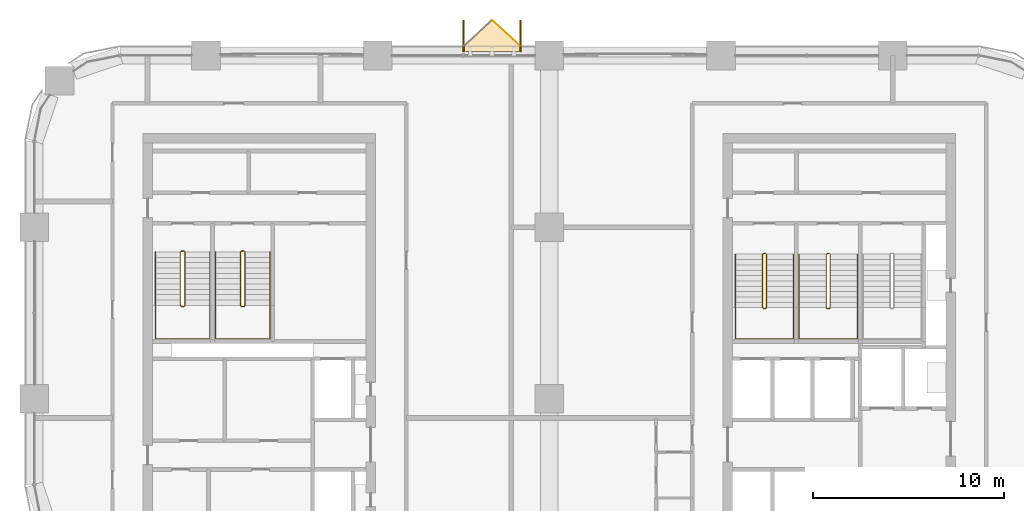
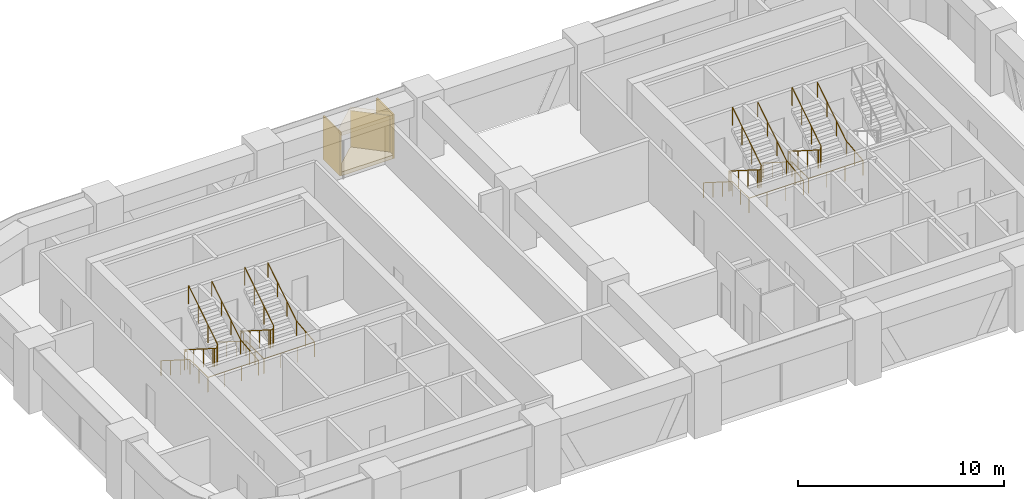
# One storey, part 13 of 14: 8 railings, 5 coverings.
"""IFC4 building model written with IfcOpenShell, lengths in metres."""

from ifc_helpers import new_model, si_unit, direction, frame, origin, origin_2d, place, context, subcontext, project, spatial, polyline, rectangle, circle, outline, extrude, material, layer, layer_set, type_object, element, save


model = new_model("IFC4")

# Units and contexts
model_context = context("Model", 3, precision=1e-05, world=origin(), true_north=direction((0.0, 1.0)))
body_context = subcontext(model_context, "Body", "Model", "MODEL_VIEW")
ifc_project = project(units=[si_unit("LENGTHUNIT", "METRE"), si_unit("AREAUNIT", "SQUARE_METRE"), si_unit("VOLUMEUNIT", "CUBIC_METRE"), si_unit("PLANEANGLEUNIT", "RADIAN"), si_unit("MASSUNIT", "GRAM", prefix="KILO")], contexts=[model_context])

# Site, building, storey
site_placement = place(None, origin())
site = spatial("IfcSite", under=ifc_project, at=site_placement, CompositionType="ELEMENT")
building_placement = place(site_placement, origin())
building = spatial("IfcBuilding", under=site, at=building_placement, Name="Tessera Arch", CompositionType="ELEMENT")
storey_placement = place(building_placement, frame((0.0, 0.0, 177.800048828125)))
storey = spatial("IfcBuildingStorey", under=building, at=storey_placement, Name="L42", CompositionType="ELEMENT", Elevation=177.800048828125)

# Railings
ifc_material_1 = material(Name="Painted steel balustrade", Category="steel")
railing_type_1 = type_object("IfcRailingType", Name="Stair guard 1100", PredefinedType="GUARDRAIL", material=ifc_material_1)
railing_1_placement = place(storey_placement, frame((38.219970703125, 43.6298828125, 0.0)))
element("IfcRailing", 1, at=railing_1_placement, inside=storey, type_object=railing_type_1, Name="L42 S1a stair guard 1", PredefinedType="GUARDRAIL", context=body_context, shape_type="SweptSolid", body=[
    extrude(circle(Radius=0.02392578125, at=origin_2d()), frame((-0.00390625, 0.0, 1.076171875), z_axis=(1.0, 0.0, 0.0), x_axis=(0.0, 1.0, 0.0)), (0.0, 0.0, 1.0), 0.1181640625),
    extrude(circle(Radius=0.02392578125, at=origin_2d()), frame((0.11279296875, 0.000732421875, 1.0732421875), z_axis=(-0.656319048605, -0.204099216335, 0.726353093426), x_axis=(0.296948579431, -0.954893471113, 0.0)), (0.0, 0.0, 1.0), 0.251953125),
    extrude(circle(Radius=0.02392578125, at=origin_2d()), frame((-0.050048828125, -0.04638671875, 1.251220703125), z_axis=(0.0, -0.844908973607, 0.534910110503), x_axis=(1.0, 0.0, 0.0)), (0.0, 0.0, 1.0), 3.322021484375),
    extrude(circle(Radius=0.02392578125, at=origin_2d()), frame((-0.052978515625, -2.846923828125, 3.02587890625), z_axis=(0.707106781187, -0.707106781187, 0.0), x_axis=(0.707106781187, 0.707106781187, 0.0)), (0.0, 0.0, 1.0), 0.078857421875),
    extrude(circle(Radius=0.02392578125, at=origin_2d()), frame((-0.00390625, -2.89990234375, 3.02587890625), z_axis=(1.0, 0.0, 0.0), x_axis=(0.0, 1.0, 0.0)), (0.0, 0.0, 1.0), 0.1181640625),
    extrude(circle(Radius=0.02392578125, at=origin_2d()), frame((0.109130859375, -2.90087890625, 3.022216796875), z_axis=(0.261041864531, 0.262321481514, 0.929001929653), x_axis=(-0.708833529934, 0.705375805398, 0.0)), (0.0, 0.0, 1.0), 0.19873046875),
    extrude(circle(Radius=0.02392578125, at=origin_2d()), frame((0.159912109375, -2.853271484375, 3.201171875), z_axis=(0.0, 0.844908973607, 0.534910110503), x_axis=(-1.0, 0.0, 0.0)), (0.0, 0.0, 1.0), 3.322021484375),
    extrude(circle(Radius=0.02099609375, at=origin_2d()), origin(), (0.0, 0.0, 1.0), 1.06396484375),
    extrude(circle(Radius=0.02099609375, at=origin_2d()), frame((0.110107421875, 0.0, 0.0)), (0.0, 0.0, 1.0), 1.06396484375),
    extrude(circle(Radius=0.02099609375, at=origin_2d()), frame((-0.050048828125, -0.0498046875, 0.17724609375)), (0.0, 0.0, 1.0), 1.06396484375),
    extrude(circle(Radius=0.02099609375, at=origin_2d()), frame((-0.050048828125, -0.983154296875, 0.76806640625)), (0.0, 0.0, 1.0), 1.06396484375),
    extrude(circle(Radius=0.02099609375, at=origin_2d()), frame((-0.050048828125, -1.91650390625, 1.359130859375)), (0.0, 0.0, 1.0), 1.06396484375),
    extrude(circle(Radius=0.02099609375, at=origin_2d()), frame((-0.050048828125, -2.849853515625, 1.949951171875)), (0.0, 0.0, 1.0), 1.06396484375),
    extrude(circle(Radius=0.02099609375, at=origin_2d()), frame((0.0, -2.89990234375, 1.949951171875)), (0.0, 0.0, 1.0), 1.06396484375),
    extrude(circle(Radius=0.02099609375, at=origin_2d()), frame((0.110107421875, -2.89990234375, 1.949951171875)), (0.0, 0.0, 1.0), 1.06396484375),
    extrude(circle(Radius=0.02099609375, at=origin_2d()), frame((0.159912109375, -2.849853515625, 2.127197265625)), (0.0, 0.0, 1.0), 1.06396484375),
    extrude(circle(Radius=0.02099609375, at=origin_2d()), frame((0.159912109375, -1.91650390625, 2.718017578125)), (0.0, 0.0, 1.0), 1.06396484375),
    extrude(circle(Radius=0.02099609375, at=origin_2d()), frame((0.159912109375, -0.983154296875, 3.30908203125)), (0.0, 0.0, 1.0), 1.06396484375),
    extrude(circle(Radius=0.02099609375, at=origin_2d()), frame((0.159912109375, -0.0498046875, 3.89990234375)), (0.0, 0.0, 1.0), 1.06396484375),
])
railing_2_placement = place(storey_placement, frame((41.570068359375, 43.6298828125, 0.0)))
element("IfcRailing", 2, at=railing_2_placement, inside=storey, type_object=railing_type_1, Name="L42 S1b stair guard 1", PredefinedType="GUARDRAIL", context=body_context, shape_type="SweptSolid", body=[
    extrude(circle(Radius=0.02392578125, at=origin_2d()), frame((-0.00390625, 0.0, 1.076171875), z_axis=(1.0, 0.0, 0.0), x_axis=(0.0, 1.0, 0.0)), (0.0, 0.0, 1.0), 0.117919921875),
    extrude(circle(Radius=0.02392578125, at=origin_2d()), frame((0.112548828125, 0.000732421875, 1.0732421875), z_axis=(-0.65574896516, -0.204233265485, 0.726830150696), x_axis=(0.297361876254, -0.954764847777, 0.0)), (0.0, 0.0, 1.0), 0.251953125),
    extrude(circle(Radius=0.02392578125, at=origin_2d()), frame((-0.050048828125, -0.04638671875, 1.251220703125), z_axis=(0.0, -0.844908973607, 0.534910110503), x_axis=(1.0, 0.0, 0.0)), (0.0, 0.0, 1.0), 3.322021484375),
    extrude(circle(Radius=0.02392578125, at=origin_2d()), frame((-0.052978515625, -2.846923828125, 3.02587890625), z_axis=(0.707106781187, -0.707106781187, 0.0), x_axis=(0.707106781187, 0.707106781187, 0.0)), (0.0, 0.0, 1.0), 0.078857421875),
    extrude(circle(Radius=0.02392578125, at=origin_2d()), frame((-0.00390625, -2.89990234375, 3.02587890625), z_axis=(1.0, 0.0, 0.0), x_axis=(0.0, 1.0, 0.0)), (0.0, 0.0, 1.0), 0.117919921875),
    extrude(circle(Radius=0.02392578125, at=origin_2d()), frame((0.10888671875, -2.90087890625, 3.022216796875), z_axis=(0.262233686654, 0.262233686654, 0.928691007369), x_axis=(-0.707106781187, 0.707106781187, 0.0)), (0.0, 0.0, 1.0), 0.198974609375),
    extrude(circle(Radius=0.02392578125, at=origin_2d()), frame((0.159912109375, -2.853271484375, 3.201171875), z_axis=(0.0, 0.844908973607, 0.534910110503), x_axis=(-1.0, 0.0, 0.0)), (0.0, 0.0, 1.0), 3.322021484375),
    extrude(circle(Radius=0.02099609375, at=origin_2d()), origin(), (0.0, 0.0, 1.0), 1.06396484375),
    extrude(circle(Radius=0.02099609375, at=origin_2d()), frame((0.10986328125, 0.0, 0.0)), (0.0, 0.0, 1.0), 1.06396484375),
    extrude(circle(Radius=0.02099609375, at=origin_2d()), frame((-0.050048828125, -0.0498046875, 0.17724609375)), (0.0, 0.0, 1.0), 1.06396484375),
    extrude(circle(Radius=0.02099609375, at=origin_2d()), frame((-0.050048828125, -0.983154296875, 0.76806640625)), (0.0, 0.0, 1.0), 1.06396484375),
    extrude(circle(Radius=0.02099609375, at=origin_2d()), frame((-0.050048828125, -1.91650390625, 1.359130859375)), (0.0, 0.0, 1.0), 1.06396484375),
    extrude(circle(Radius=0.02099609375, at=origin_2d()), frame((-0.050048828125, -2.849853515625, 1.949951171875)), (0.0, 0.0, 1.0), 1.06396484375),
    extrude(circle(Radius=0.02099609375, at=origin_2d()), frame((0.0, -2.89990234375, 1.949951171875)), (0.0, 0.0, 1.0), 1.06396484375),
    extrude(circle(Radius=0.02099609375, at=origin_2d()), frame((0.10986328125, -2.89990234375, 1.949951171875)), (0.0, 0.0, 1.0), 1.06396484375),
    extrude(circle(Radius=0.02099609375, at=origin_2d()), frame((0.159912109375, -2.849853515625, 2.127197265625)), (0.0, 0.0, 1.0), 1.06396484375),
    extrude(circle(Radius=0.02099609375, at=origin_2d()), frame((0.159912109375, -1.91650390625, 2.718017578125)), (0.0, 0.0, 1.0), 1.06396484375),
    extrude(circle(Radius=0.02099609375, at=origin_2d()), frame((0.159912109375, -0.983154296875, 3.30908203125)), (0.0, 0.0, 1.0), 1.06396484375),
    extrude(circle(Radius=0.02099609375, at=origin_2d()), frame((0.159912109375, -0.0498046875, 3.89990234375)), (0.0, 0.0, 1.0), 1.06396484375),
])
railing_3_placement = place(storey_placement, frame((7.699951171875, 43.75, 0.0)))
element("IfcRailing", 3, at=railing_3_placement, inside=storey, type_object=railing_type_1, Name="L42 S2a stair guard 1", PredefinedType="GUARDRAIL", context=body_context, shape_type="SweptSolid", body=[
    extrude(circle(Radius=0.02392578125, at=origin_2d()), frame((-0.00390625, 0.0, 1.076171875), z_axis=(1.0, 0.0, 0.0), x_axis=(0.0, 1.0, 0.0)), (0.0, 0.0, 1.0), 0.158203125),
    extrude(circle(Radius=0.02392578125, at=origin_2d()), frame((0.153076171875, 0.000732421875, 1.073486328125), z_axis=(-0.735936453418, -0.183984113355, 0.651573006319), x_axis=(0.242535625036, -0.970142500145, 0.0)), (0.0, 0.0, 1.0), 0.280029296875),
    extrude(circle(Radius=0.02392578125, at=origin_2d()), frame((-0.050048828125, -0.046630859375, 1.251220703125), z_axis=(0.0, -0.844908973607, 0.534910110503), x_axis=(1.0, 0.0, 0.0)), (0.0, 0.0, 1.0), 3.322021484375),
    extrude(circle(Radius=0.02392578125, at=origin_2d()), frame((-0.052978515625, -2.84716796875, 3.02587890625), z_axis=(0.708833529934, -0.705375805398, 0.0), x_axis=(0.705375805398, 0.708833529934, 0.0)), (0.0, 0.0, 1.0), 0.07861328125),
    extrude(circle(Radius=0.02392578125, at=origin_2d()), frame((-0.00390625, -2.89990234375, 3.02587890625), z_axis=(1.0, 0.0, 0.0), x_axis=(0.0, 1.0, 0.0)), (0.0, 0.0, 1.0), 0.158203125),
    extrude(circle(Radius=0.02392578125, at=origin_2d()), frame((0.149169921875, -2.90087890625, 3.022216796875), z_axis=(0.261129318932, 0.261129318932, 0.929313164433), x_axis=(-0.707106781187, 0.707106781187, 0.0)), (0.0, 0.0, 1.0), 0.19873046875),
    extrude(circle(Radius=0.02392578125, at=origin_2d()), frame((0.199951171875, -2.853515625, 3.201171875), z_axis=(0.0, 0.844908973607, 0.534910110503), x_axis=(-1.0, 0.0, 0.0)), (0.0, 0.0, 1.0), 3.322021484375),
    extrude(circle(Radius=0.02099609375, at=origin_2d()), origin(), (0.0, 0.0, 1.0), 1.06396484375),
    extrude(circle(Radius=0.02099609375, at=origin_2d()), frame((0.150146484375, 0.0, 0.0)), (0.0, 0.0, 1.0), 1.06396484375),
    extrude(circle(Radius=0.02099609375, at=origin_2d()), frame((-0.050048828125, -0.050048828125, 0.17724609375)), (0.0, 0.0, 1.0), 1.06396484375),
    extrude(circle(Radius=0.02099609375, at=origin_2d()), frame((-0.050048828125, -0.9833984375, 0.76806640625)), (0.0, 0.0, 1.0), 1.06396484375),
    extrude(circle(Radius=0.02099609375, at=origin_2d()), frame((-0.050048828125, -1.916748046875, 1.359130859375)), (0.0, 0.0, 1.0), 1.06396484375),
    extrude(circle(Radius=0.02099609375, at=origin_2d()), frame((-0.050048828125, -2.85009765625, 1.949951171875)), (0.0, 0.0, 1.0), 1.06396484375),
    extrude(circle(Radius=0.02099609375, at=origin_2d()), frame((0.0, -2.89990234375, 1.949951171875)), (0.0, 0.0, 1.0), 1.06396484375),
    extrude(circle(Radius=0.02099609375, at=origin_2d()), frame((0.150146484375, -2.89990234375, 1.949951171875)), (0.0, 0.0, 1.0), 1.06396484375),
    extrude(circle(Radius=0.02099609375, at=origin_2d()), frame((0.199951171875, -2.85009765625, 2.127197265625)), (0.0, 0.0, 1.0), 1.06396484375),
    extrude(circle(Radius=0.02099609375, at=origin_2d()), frame((0.199951171875, -1.916748046875, 2.718017578125)), (0.0, 0.0, 1.0), 1.06396484375),
    extrude(circle(Radius=0.02099609375, at=origin_2d()), frame((0.199951171875, -0.9833984375, 3.30908203125)), (0.0, 0.0, 1.0), 1.06396484375),
    extrude(circle(Radius=0.02099609375, at=origin_2d()), frame((0.199951171875, -0.050048828125, 3.89990234375)), (0.0, 0.0, 1.0), 1.06396484375),
])
railing_4_placement = place(storey_placement, frame((10.85009765625, 43.75, 0.0)))
element("IfcRailing", 4, at=railing_4_placement, inside=storey, type_object=railing_type_1, Name="L42 S2b stair guard 1", PredefinedType="GUARDRAIL", context=body_context, shape_type="SweptSolid", body=[
    extrude(circle(Radius=0.02392578125, at=origin_2d()), frame((-0.00390625, 0.0, 1.076171875), z_axis=(1.0, 0.0, 0.0), x_axis=(0.0, 1.0, 0.0)), (0.0, 0.0, 1.0), 0.157958984375),
    extrude(circle(Radius=0.02392578125, at=origin_2d()), frame((0.15283203125, 0.000732421875, 1.073486328125), z_axis=(-0.735524641326, -0.184105679453, 0.652003528208), x_axis=(0.242814311512, -0.970072785993, 0.0)), (0.0, 0.0, 1.0), 0.27978515625),
    extrude(circle(Radius=0.02392578125, at=origin_2d()), frame((-0.050048828125, -0.046630859375, 1.251220703125), z_axis=(0.0, -0.844908973607, 0.534910110503), x_axis=(1.0, 0.0, 0.0)), (0.0, 0.0, 1.0), 3.322021484375),
    extrude(circle(Radius=0.02392578125, at=origin_2d()), frame((-0.052978515625, -2.84716796875, 3.02587890625), z_axis=(0.708833529934, -0.705375805398, 0.0), x_axis=(0.705375805398, 0.708833529934, 0.0)), (0.0, 0.0, 1.0), 0.07861328125),
    extrude(circle(Radius=0.02392578125, at=origin_2d()), frame((-0.00390625, -2.89990234375, 3.02587890625), z_axis=(1.0, 0.0, 0.0), x_axis=(0.0, 1.0, 0.0)), (0.0, 0.0, 1.0), 0.157958984375),
    extrude(circle(Radius=0.02392578125, at=origin_2d()), frame((0.14892578125, -2.90087890625, 3.022216796875), z_axis=(0.262321481514, 0.261041864531, 0.929001929653), x_axis=(-0.705375805398, 0.708833529934, 0.0)), (0.0, 0.0, 1.0), 0.19873046875),
    extrude(circle(Radius=0.02392578125, at=origin_2d()), frame((0.199951171875, -2.853515625, 3.201171875), z_axis=(0.0, 0.844908973607, 0.534910110503), x_axis=(-1.0, 0.0, 0.0)), (0.0, 0.0, 1.0), 3.322021484375),
    extrude(circle(Radius=0.02099609375, at=origin_2d()), origin(), (0.0, 0.0, 1.0), 1.06396484375),
    extrude(circle(Radius=0.02099609375, at=origin_2d()), frame((0.14990234375, 0.0, 0.0)), (0.0, 0.0, 1.0), 1.06396484375),
    extrude(circle(Radius=0.02099609375, at=origin_2d()), frame((-0.050048828125, -0.050048828125, 0.17724609375)), (0.0, 0.0, 1.0), 1.06396484375),
    extrude(circle(Radius=0.02099609375, at=origin_2d()), frame((-0.050048828125, -0.9833984375, 0.76806640625)), (0.0, 0.0, 1.0), 1.06396484375),
    extrude(circle(Radius=0.02099609375, at=origin_2d()), frame((-0.050048828125, -1.916748046875, 1.359130859375)), (0.0, 0.0, 1.0), 1.06396484375),
    extrude(circle(Radius=0.02099609375, at=origin_2d()), frame((-0.050048828125, -2.85009765625, 1.949951171875)), (0.0, 0.0, 1.0), 1.06396484375),
    extrude(circle(Radius=0.02099609375, at=origin_2d()), frame((0.0, -2.89990234375, 1.949951171875)), (0.0, 0.0, 1.0), 1.06396484375),
    extrude(circle(Radius=0.02099609375, at=origin_2d()), frame((0.14990234375, -2.89990234375, 1.949951171875)), (0.0, 0.0, 1.0), 1.06396484375),
    extrude(circle(Radius=0.02099609375, at=origin_2d()), frame((0.199951171875, -2.85009765625, 2.127197265625)), (0.0, 0.0, 1.0), 1.06396484375),
    extrude(circle(Radius=0.02099609375, at=origin_2d()), frame((0.199951171875, -1.916748046875, 2.718017578125)), (0.0, 0.0, 1.0), 1.06396484375),
    extrude(circle(Radius=0.02099609375, at=origin_2d()), frame((0.199951171875, -0.9833984375, 3.30908203125)), (0.0, 0.0, 1.0), 1.06396484375),
    extrude(circle(Radius=0.02099609375, at=origin_2d()), frame((0.199951171875, -0.050048828125, 3.89990234375)), (0.0, 0.0, 1.0), 1.06396484375),
])
ifc_material_2 = material(Name="Painted steel handrail", Category="steel")
railing_type_2 = type_object("IfcRailingType", Name="Stair handrail 900", PredefinedType="HANDRAIL", material=ifc_material_2)
railing_5_placement = place(storey_placement, frame((36.75, 43.580078125, 0.17724609375)))
element("IfcRailing", 5, at=railing_5_placement, inside=storey, type_object=railing_type_2, Name="L42 S1a stair handrail", PredefinedType="HANDRAIL", context=body_context, shape_type="SweptSolid", body=[
    extrude(circle(Radius=0.02392578125, at=origin_2d()), frame((0.0, 0.00341796875, 0.873779296875), z_axis=(0.0, -0.844908973607, 0.534910110503), x_axis=(1.0, 0.0, 0.0)), (0.0, 0.0, 1.0), 3.322021484375),
    extrude(circle(Radius=0.02392578125, at=origin_2d()), frame((0.0, -2.796142578125, 2.6484375), z_axis=(0.0, -1.0, 0.0), x_axis=(1.0, 0.0, 0.0)), (0.0, 0.0, 1.0), 1.63818359375),
    extrude(circle(Radius=0.02392578125, at=origin_2d()), frame((-0.00390625, -4.43017578125, 2.6484375), z_axis=(1.0, 0.0, 0.0), x_axis=(0.0, 1.0, 0.0)), (0.0, 0.0, 1.0), 3.05810546875),
    extrude(circle(Radius=0.02392578125, at=origin_2d()), frame((3.050048828125, -4.43408203125, 2.648193359375), z_axis=(0.0, 0.994140637614, 0.108094369164), x_axis=(-1.0, 0.0, 0.0)), (0.0, 0.0, 1.0), 1.647705078125),
    extrude(circle(Radius=0.02392578125, at=origin_2d()), frame((3.050048828125, -2.803466796875, 2.82373046875), z_axis=(0.0, 0.844908973607, 0.534910110503), x_axis=(-1.0, 0.0, 0.0)), (0.0, 0.0, 1.0), 3.322021484375),
    extrude(circle(Radius=0.02099609375, at=origin_2d()), origin(), (0.0, 0.0, 1.0), 0.86376953125),
    extrude(circle(Radius=0.02099609375, at=origin_2d()), frame((0.0, -0.933349609375, 0.5908203125)), (0.0, 0.0, 1.0), 0.86376953125),
    extrude(circle(Radius=0.02099609375, at=origin_2d()), frame((0.0, -1.86669921875, 1.181884765625)), (0.0, 0.0, 1.0), 0.86376953125),
    extrude(circle(Radius=0.02099609375, at=origin_2d()), frame((0.0, -2.800048828125, 1.772705078125)), (0.0, 0.0, 1.0), 0.86376953125),
    extrude(circle(Radius=0.02099609375, at=origin_2d()), frame((0.0, -3.615234375, 1.772705078125)), (0.0, 0.0, 1.0), 0.86376953125),
    extrude(circle(Radius=0.02099609375, at=origin_2d()), frame((0.0, -4.43017578125, 1.772705078125)), (0.0, 0.0, 1.0), 0.86376953125),
    extrude(circle(Radius=0.02099609375, at=origin_2d()), frame((1.0166015625, -4.43017578125, 1.772705078125)), (0.0, 0.0, 1.0), 0.86376953125),
    extrude(circle(Radius=0.02099609375, at=origin_2d()), frame((2.033447265625, -4.43017578125, 1.772705078125)), (0.0, 0.0, 1.0), 0.86376953125),
    extrude(circle(Radius=0.02099609375, at=origin_2d()), frame((3.050048828125, -4.43017578125, 1.772705078125)), (0.0, 0.0, 1.0), 0.86376953125),
    extrude(circle(Radius=0.02099609375, at=origin_2d()), frame((3.050048828125, -3.615234375, 1.861328125)), (0.0, 0.0, 1.0), 0.86376953125),
    extrude(circle(Radius=0.02099609375, at=origin_2d()), frame((3.050048828125, -2.800048828125, 1.949951171875)), (0.0, 0.0, 1.0), 0.86376953125),
    extrude(circle(Radius=0.02099609375, at=origin_2d()), frame((3.050048828125, -1.86669921875, 2.540771484375)), (0.0, 0.0, 1.0), 0.86376953125),
    extrude(circle(Radius=0.02099609375, at=origin_2d()), frame((3.050048828125, -0.933349609375, 3.1318359375)), (0.0, 0.0, 1.0), 0.86376953125),
    extrude(circle(Radius=0.02099609375, at=origin_2d()), frame((3.050048828125, 0.0, 3.72265625)), (0.0, 0.0, 1.0), 0.86376953125),
])
railing_6_placement = place(storey_placement, frame((40.10009765625, 43.580078125, 0.17724609375)))
element("IfcRailing", 6, at=railing_6_placement, inside=storey, type_object=railing_type_2, Name="L42 S1b stair handrail", PredefinedType="HANDRAIL", context=body_context, shape_type="SweptSolid", body=[
    extrude(circle(Radius=0.02392578125, at=origin_2d()), frame((0.0, 0.00341796875, 0.873779296875), z_axis=(0.0, -0.844908973607, 0.534910110503), x_axis=(1.0, 0.0, 0.0)), (0.0, 0.0, 1.0), 3.322021484375),
    extrude(circle(Radius=0.02392578125, at=origin_2d()), frame((0.0, -2.796142578125, 2.6484375), z_axis=(0.0, -1.0, 0.0), x_axis=(1.0, 0.0, 0.0)), (0.0, 0.0, 1.0), 1.63818359375),
    extrude(circle(Radius=0.02392578125, at=origin_2d()), frame((-0.00390625, -4.43017578125, 2.6484375), z_axis=(1.0, 0.0, 0.0), x_axis=(0.0, 1.0, 0.0)), (0.0, 0.0, 1.0), 3.057861328125),
    extrude(circle(Radius=0.02392578125, at=origin_2d()), frame((3.0498046875, -4.43408203125, 2.648193359375), z_axis=(0.0, 0.994140637614, 0.108094369164), x_axis=(-1.0, 0.0, 0.0)), (0.0, 0.0, 1.0), 1.647705078125),
    extrude(circle(Radius=0.02392578125, at=origin_2d()), frame((3.0498046875, -2.803466796875, 2.82373046875), z_axis=(0.0, 0.844908973607, 0.534910110503), x_axis=(-1.0, 0.0, 0.0)), (0.0, 0.0, 1.0), 3.322021484375),
    extrude(circle(Radius=0.02099609375, at=origin_2d()), origin(), (0.0, 0.0, 1.0), 0.86376953125),
    extrude(circle(Radius=0.02099609375, at=origin_2d()), frame((0.0, -0.933349609375, 0.5908203125)), (0.0, 0.0, 1.0), 0.86376953125),
    extrude(circle(Radius=0.02099609375, at=origin_2d()), frame((0.0, -1.86669921875, 1.181884765625)), (0.0, 0.0, 1.0), 0.86376953125),
    extrude(circle(Radius=0.02099609375, at=origin_2d()), frame((0.0, -2.800048828125, 1.772705078125)), (0.0, 0.0, 1.0), 0.86376953125),
    extrude(circle(Radius=0.02099609375, at=origin_2d()), frame((0.0, -3.615234375, 1.772705078125)), (0.0, 0.0, 1.0), 0.86376953125),
    extrude(circle(Radius=0.02099609375, at=origin_2d()), frame((0.0, -4.43017578125, 1.772705078125)), (0.0, 0.0, 1.0), 0.86376953125),
    extrude(circle(Radius=0.02099609375, at=origin_2d()), frame((1.0166015625, -4.43017578125, 1.772705078125)), (0.0, 0.0, 1.0), 0.86376953125),
    extrude(circle(Radius=0.02099609375, at=origin_2d()), frame((2.033203125, -4.43017578125, 1.772705078125)), (0.0, 0.0, 1.0), 0.86376953125),
    extrude(circle(Radius=0.02099609375, at=origin_2d()), frame((3.0498046875, -4.43017578125, 1.772705078125)), (0.0, 0.0, 1.0), 0.86376953125),
    extrude(circle(Radius=0.02099609375, at=origin_2d()), frame((3.0498046875, -3.615234375, 1.861328125)), (0.0, 0.0, 1.0), 0.86376953125),
    extrude(circle(Radius=0.02099609375, at=origin_2d()), frame((3.0498046875, -2.800048828125, 1.949951171875)), (0.0, 0.0, 1.0), 0.86376953125),
    extrude(circle(Radius=0.02099609375, at=origin_2d()), frame((3.0498046875, -1.86669921875, 2.540771484375)), (0.0, 0.0, 1.0), 0.86376953125),
    extrude(circle(Radius=0.02099609375, at=origin_2d()), frame((3.0498046875, -0.933349609375, 3.1318359375)), (0.0, 0.0, 1.0), 0.86376953125),
    extrude(circle(Radius=0.02099609375, at=origin_2d()), frame((3.0498046875, 0.0, 3.72265625)), (0.0, 0.0, 1.0), 0.86376953125),
])
railing_7_placement = place(storey_placement, frame((6.35009765625, 43.699951171875, 0.17724609375)))
element("IfcRailing", 7, at=railing_7_placement, inside=storey, type_object=railing_type_2, Name="L42 S2a stair handrail", PredefinedType="HANDRAIL", context=body_context, shape_type="SweptSolid", body=[
    extrude(circle(Radius=0.02392578125, at=origin_2d()), frame((0.0, 0.00341796875, 0.873779296875), z_axis=(0.0, -0.844908973607, 0.534910110503), x_axis=(1.0, 0.0, 0.0)), (0.0, 0.0, 1.0), 3.322021484375),
    extrude(circle(Radius=0.02392578125, at=origin_2d()), frame((0.0, -2.796142578125, 2.6484375), z_axis=(0.0, -1.0, 0.0), x_axis=(1.0, 0.0, 0.0)), (0.0, 0.0, 1.0), 1.758056640625),
    extrude(circle(Radius=0.02392578125, at=origin_2d()), frame((-0.00390625, -4.550048828125, 2.6484375), z_axis=(1.0, 0.0, 0.0), x_axis=(0.0, 1.0, 0.0)), (0.0, 0.0, 1.0), 2.85791015625),
    extrude(circle(Radius=0.02392578125, at=origin_2d()), frame((2.849853515625, -4.553955078125, 2.648193359375), z_axis=(0.0, 0.994909956378, 0.100767944801), x_axis=(-1.0, 0.0, 0.0)), (0.0, 0.0, 1.0), 1.766845703125),
    extrude(circle(Radius=0.02392578125, at=origin_2d()), frame((2.849853515625, -2.803466796875, 2.82373046875), z_axis=(0.0, 0.844908973607, 0.534910110503), x_axis=(-1.0, 0.0, 0.0)), (0.0, 0.0, 1.0), 3.322021484375),
    extrude(circle(Radius=0.02099609375, at=origin_2d()), origin(), (0.0, 0.0, 1.0), 0.86376953125),
    extrude(circle(Radius=0.02099609375, at=origin_2d()), frame((0.0, -0.933349609375, 0.5908203125)), (0.0, 0.0, 1.0), 0.86376953125),
    extrude(circle(Radius=0.02099609375, at=origin_2d()), frame((0.0, -1.86669921875, 1.181884765625)), (0.0, 0.0, 1.0), 0.86376953125),
    extrude(circle(Radius=0.02099609375, at=origin_2d()), frame((0.0, -2.800048828125, 1.772705078125)), (0.0, 0.0, 1.0), 0.86376953125),
    extrude(circle(Radius=0.02099609375, at=origin_2d()), frame((0.0, -3.675048828125, 1.772705078125)), (0.0, 0.0, 1.0), 0.86376953125),
    extrude(circle(Radius=0.02099609375, at=origin_2d()), frame((0.0, -4.550048828125, 1.772705078125)), (0.0, 0.0, 1.0), 0.86376953125),
    extrude(circle(Radius=0.02099609375, at=origin_2d()), frame((0.949951171875, -4.550048828125, 1.772705078125)), (0.0, 0.0, 1.0), 0.86376953125),
    extrude(circle(Radius=0.02099609375, at=origin_2d()), frame((1.89990234375, -4.550048828125, 1.772705078125)), (0.0, 0.0, 1.0), 0.86376953125),
    extrude(circle(Radius=0.02099609375, at=origin_2d()), frame((2.849853515625, -4.550048828125, 1.772705078125)), (0.0, 0.0, 1.0), 0.86376953125),
    extrude(circle(Radius=0.02099609375, at=origin_2d()), frame((2.849853515625, -3.675048828125, 1.861328125)), (0.0, 0.0, 1.0), 0.86376953125),
    extrude(circle(Radius=0.02099609375, at=origin_2d()), frame((2.849853515625, -2.800048828125, 1.949951171875)), (0.0, 0.0, 1.0), 0.86376953125),
    extrude(circle(Radius=0.02099609375, at=origin_2d()), frame((2.849853515625, -1.86669921875, 2.540771484375)), (0.0, 0.0, 1.0), 0.86376953125),
    extrude(circle(Radius=0.02099609375, at=origin_2d()), frame((2.849853515625, -0.933349609375, 3.1318359375)), (0.0, 0.0, 1.0), 0.86376953125),
    extrude(circle(Radius=0.02099609375, at=origin_2d()), frame((2.849853515625, 0.0, 3.72265625)), (0.0, 0.0, 1.0), 0.86376953125),
])
railing_8_placement = place(storey_placement, frame((9.5, 43.699951171875, 0.17724609375)))
element("IfcRailing", 8, at=railing_8_placement, inside=storey, type_object=railing_type_2, Name="L42 S2b stair handrail", PredefinedType="HANDRAIL", context=body_context, shape_type="SweptSolid", body=[
    extrude(circle(Radius=0.02392578125, at=origin_2d()), frame((0.0, 0.00341796875, 0.873779296875), z_axis=(0.0, -0.844908973607, 0.534910110503), x_axis=(1.0, 0.0, 0.0)), (0.0, 0.0, 1.0), 3.322021484375),
    extrude(circle(Radius=0.02392578125, at=origin_2d()), frame((0.0, -2.796142578125, 2.6484375), z_axis=(0.0, -1.0, 0.0), x_axis=(1.0, 0.0, 0.0)), (0.0, 0.0, 1.0), 1.758056640625),
    extrude(circle(Radius=0.02392578125, at=origin_2d()), frame((-0.00390625, -4.550048828125, 2.6484375), z_axis=(1.0, 0.0, 0.0), x_axis=(0.0, 1.0, 0.0)), (0.0, 0.0, 1.0), 2.858154296875),
    extrude(circle(Radius=0.02392578125, at=origin_2d()), frame((2.85009765625, -4.553955078125, 2.648193359375), z_axis=(0.0, 0.994909956378, 0.100767944801), x_axis=(-1.0, 0.0, 0.0)), (0.0, 0.0, 1.0), 1.766845703125),
    extrude(circle(Radius=0.02392578125, at=origin_2d()), frame((2.85009765625, -2.803466796875, 2.82373046875), z_axis=(0.0, 0.844908973607, 0.534910110503), x_axis=(-1.0, 0.0, 0.0)), (0.0, 0.0, 1.0), 3.322021484375),
    extrude(circle(Radius=0.02099609375, at=origin_2d()), origin(), (0.0, 0.0, 1.0), 0.86376953125),
    extrude(circle(Radius=0.02099609375, at=origin_2d()), frame((0.0, -0.933349609375, 0.5908203125)), (0.0, 0.0, 1.0), 0.86376953125),
    extrude(circle(Radius=0.02099609375, at=origin_2d()), frame((0.0, -1.86669921875, 1.181884765625)), (0.0, 0.0, 1.0), 0.86376953125),
    extrude(circle(Radius=0.02099609375, at=origin_2d()), frame((0.0, -2.800048828125, 1.772705078125)), (0.0, 0.0, 1.0), 0.86376953125),
    extrude(circle(Radius=0.02099609375, at=origin_2d()), frame((0.0, -3.675048828125, 1.772705078125)), (0.0, 0.0, 1.0), 0.86376953125),
    extrude(circle(Radius=0.02099609375, at=origin_2d()), frame((0.0, -4.550048828125, 1.772705078125)), (0.0, 0.0, 1.0), 0.86376953125),
    extrude(circle(Radius=0.02099609375, at=origin_2d()), frame((0.949951171875, -4.550048828125, 1.772705078125)), (0.0, 0.0, 1.0), 0.86376953125),
    extrude(circle(Radius=0.02099609375, at=origin_2d()), frame((1.900146484375, -4.550048828125, 1.772705078125)), (0.0, 0.0, 1.0), 0.86376953125),
    extrude(circle(Radius=0.02099609375, at=origin_2d()), frame((2.85009765625, -4.550048828125, 1.772705078125)), (0.0, 0.0, 1.0), 0.86376953125),
    extrude(circle(Radius=0.02099609375, at=origin_2d()), frame((2.85009765625, -3.675048828125, 1.861328125)), (0.0, 0.0, 1.0), 0.86376953125),
    extrude(circle(Radius=0.02099609375, at=origin_2d()), frame((2.85009765625, -2.800048828125, 1.949951171875)), (0.0, 0.0, 1.0), 0.86376953125),
    extrude(circle(Radius=0.02099609375, at=origin_2d()), frame((2.85009765625, -1.86669921875, 2.540771484375)), (0.0, 0.0, 1.0), 0.86376953125),
    extrude(circle(Radius=0.02099609375, at=origin_2d()), frame((2.85009765625, -0.933349609375, 3.1318359375)), (0.0, 0.0, 1.0), 0.86376953125),
    extrude(circle(Radius=0.02099609375, at=origin_2d()), frame((2.85009765625, 0.0, 3.72265625)), (0.0, 0.0, 1.0), 0.86376953125),
])

# Coverings
ifc_material_3 = material(Name="Anodised aluminium pale metal", Category="aluminium")
ifc_layer_1 = layer(ifc_material_3, 0.080078125)
ifc_layer_set_1 = layer_set([ifc_layer_1], Name="Window box cheek")
covering_type_1 = type_object("IfcCoveringType", Name="Window box cheek", PredefinedType="CLADDING", material=ifc_layer_set_1)
covering_1_placement = place(storey_placement, origin())
element("IfcCovering", 9, at=covering_1_placement, inside=storey, type_object=covering_type_1, Name="Window box N54.0/3.0 1x1 cheek", PredefinedType="CLADDING", context=body_context, shape_type="SweptSolid", body=[
    extrude(outline(polyline([(25.530029296875, 55.85009765625), (25.449951171875, 55.85009765625), (25.449951171875, 54.199951171875), (25.530029296875, 54.199951171875), (25.530029296875, 55.85009765625)])), origin(), (0.0, 0.0, 1.0), 2.599853515625),
])
covering_2_placement = place(storey_placement, origin())
element("IfcCovering", 10, at=covering_2_placement, inside=storey, type_object=covering_type_1, Name="Window box N54.0/3.0 1x1 cheek", PredefinedType="CLADDING", context=body_context, shape_type="SweptSolid", body=[
    extrude(outline(polyline([(22.550048828125, 55.85009765625), (22.469970703125, 55.85009765625), (22.469970703125, 54.199951171875), (22.550048828125, 54.199951171875), (22.550048828125, 55.85009765625)])), origin(), (0.0, 0.0, 1.0), 2.599853515625),
])
ifc_material_4 = material(Name="Anodised aluminium turquoise", Category="aluminium")
ifc_layer_2 = layer(ifc_material_4, 0.219970703125)
ifc_layer_set_2 = layer_set([ifc_layer_2], Name="Window box frame plate turquoise")
covering_type_2 = type_object("IfcCoveringType", Name="Window box frame plate turquoise", PredefinedType="CLADDING", material=ifc_layer_set_2)
for number, where, name in (
    (11, (0.0, 0.0, 0.0), "Window box N54.0/3.0 1x1 floor"),
    (12, (0.0, 0.0, 2.3798828125), "Window box N54.0/3.0 1x1 roof"),
):
    element("IfcCovering", number, at=place(storey_placement, frame(where)), inside=storey, type_object=covering_type_2, Name=name, PredefinedType="CLADDING", context=body_context, shape_type="SweptSolid", body=[
        extrude(outline(polyline([(25.449951171875, 54.510009765625), (24.0, 55.85009765625), (22.550048828125, 54.510009765625), (22.550048828125, 54.199951171875), (25.449951171875, 54.199951171875), (25.449951171875, 54.510009765625)])), origin(), (0.0, 0.0, 1.0), 0.219970703125),
    ])
ifc_material_5 = material(Name="Anodised aluminium pale metal", Category="aluminium")
ifc_layer_3 = layer(ifc_material_5, 0.028076171875)
ifc_layer_set_3 = layer_set([ifc_layer_3], Name="Window box side panel")
covering_type_3 = type_object("IfcCoveringType", Name="Window box side panel", PredefinedType="CLADDING", material=ifc_layer_set_3)
covering_3_placement = place(storey_placement, frame((24.72509765625, 55.179931640625, 0.22021484375), z_axis=(0.0, 0.0, 1.0), x_axis=(-0.734414958885, 0.678700720617, 0.0)))
element("IfcCovering", 13, at=covering_3_placement, inside=storey, type_object=covering_type_3, Name="Window box N54.0/3.0 1x1 side panel", PredefinedType="CLADDING", context=body_context, shape_type="SweptSolid", body=[
    extrude(rectangle(XDim=1.974365234375, YDim=0.028076171875, at=origin_2d()), origin(), (0.0, 0.0, 1.0), 2.159912109375),
])

save(model, "model.ifc")
